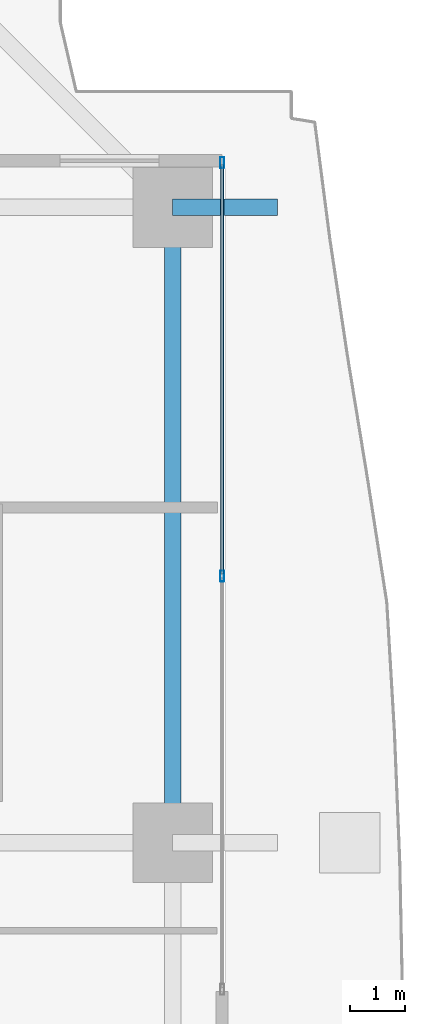
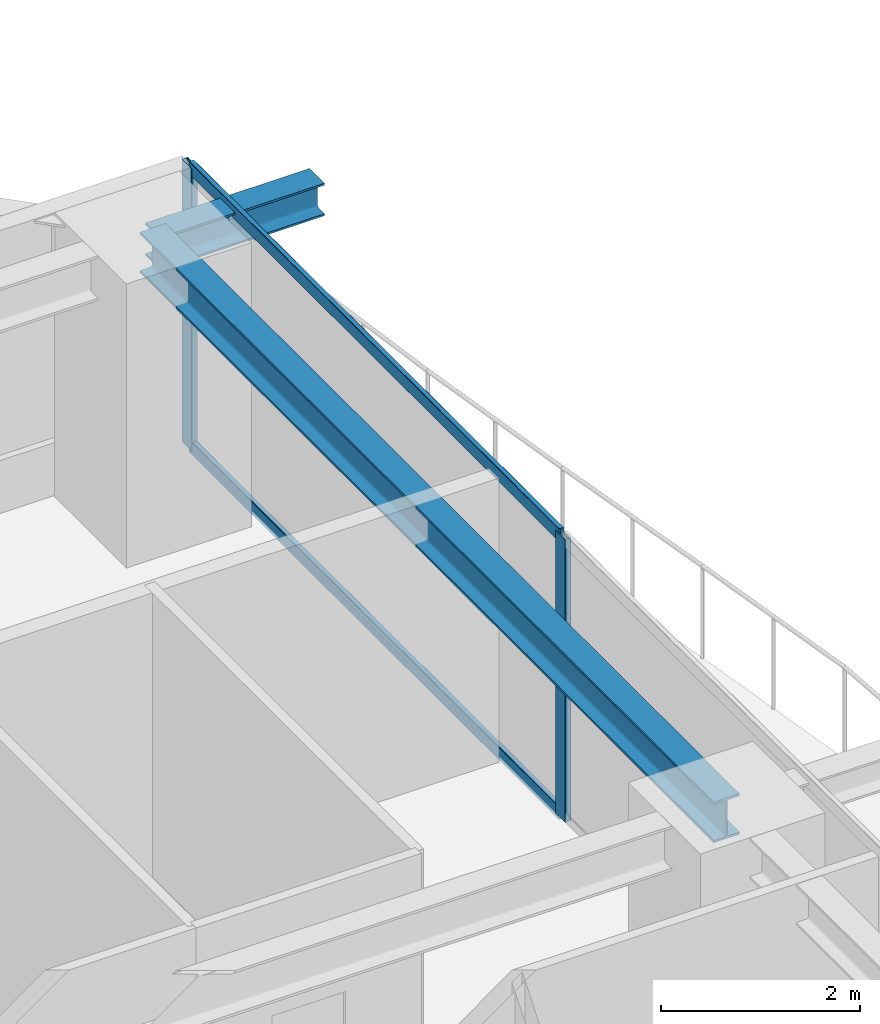
# One storey, part 23 of 39: 4 members, 2 beams, 1 element without a shape of its own.
"""IFC4 building model written with IfcOpenShell, lengths in metres."""

import ifcopenshell
import ifcopenshell.guid

model = None  # the IFC model being written
_history = None  # IfcOwnerHistory: only IFC2X3 demands one
_inside = {}  # id of a spatial element -> (the spatial element, [elements in it])
_under = {}  # id of a project, library or spatial element -> (it, [spatial elements below it])
_declared = {}  # id of a project -> (the project, [libraries it declares])
_typed = {}  # id of a type object -> (the type object, [elements of that type])
_made_of = {}  # id of a material, layer set ... -> (it, [elements and type objects made of it])


def new_model(schema):
    """Start an empty IFC model of exactly this schema.

    Asked for "IFC4X3", IfcOpenShell would pick the latest addendum, in which some entities
    have other attributes; the version numbers below select the first issue.
    IFC2X3 requires an IfcOwnerHistory on every rooted entity: one is made here for all.
    """
    global model, _history
    if schema == "IFC4X3":
        model = ifcopenshell.file(schema_version=(4, 3, 0, 0))
    else:
        model = ifcopenshell.file(schema=schema)
    _inside.clear()
    _under.clear()
    _declared.clear()
    _typed.clear()
    _made_of.clear()
    _history = None
    if model.schema == "IFC2X3":
        org = make("IfcOrganization", Name="unknown")
        user = make(
            "IfcPersonAndOrganization",
            ThePerson=make("IfcPerson", FamilyName="unknown"),
            TheOrganization=org,
        )
        app = make(
            "IfcApplication",
            ApplicationDeveloper=org,
            Version="unknown",
            ApplicationFullName="unknown",
            ApplicationIdentifier="unknown",
        )
        _history = make(
            "IfcOwnerHistory",
            OwningUser=user,
            OwningApplication=app,
            ChangeAction="ADDED",
            CreationDate=0,
        )
    return model


def make(cls, **values):
    """One entity of the class cls with the attributes given. An attribute that is None is left unset."""
    return model.create_entity(
        cls, **{name: value for name, value in values.items() if value is not None}
    )


def rooted(cls, **values):
    """An entity with a GlobalId (a new one), such as an element, a storey or a relation."""
    return make(cls, GlobalId=ifcopenshell.guid.new(), OwnerHistory=_history, **values)


def si_unit(unit_type, name, prefix=None):
    """IfcSIUnit, for example si_unit("LENGTHUNIT", "METRE", prefix="MILLI")."""
    return make("IfcSIUnit", UnitType=unit_type, Prefix=prefix, Name=name)


def assignment(units):
    """IfcUnitAssignment: the units of a project."""
    return None if units is None else make("IfcUnitAssignment", Units=units)


def point(xyz):
    """IfcCartesianPoint."""
    return None if xyz is None else make("IfcCartesianPoint", Coordinates=xyz)


def direction(xyz):
    """IfcDirection."""
    return None if xyz is None else make("IfcDirection", DirectionRatios=xyz)


def frame(location, z_axis=None, x_axis=None):
    """IfcAxis2Placement3D, a coordinate frame: its origin and axes. An axis left out is left unset."""
    return make(
        "IfcAxis2Placement3D",
        Location=point(location),
        Axis=direction(z_axis),
        RefDirection=direction(x_axis),
    )


def frame_2d(location, x_axis=None):
    """IfcAxis2Placement2D, a coordinate frame in the plane: its origin and x axis."""
    return make(
        "IfcAxis2Placement2D", Location=point(location), RefDirection=direction(x_axis)
    )


def origin():
    """The frame at (0, 0, 0) with its axes left unset."""
    return frame((0.0, 0.0, 0.0))


def origin_2d():
    """The frame at (0, 0) in the plane with its x axis left unset."""
    return frame_2d((0.0, 0.0))


def place(relative_to, where):
    """IfcLocalPlacement: puts the frame where relative to a parent placement (None: the world)."""
    return make(
        "IfcLocalPlacement", PlacementRelTo=relative_to, RelativePlacement=where
    )


def context(
    kind, dimensions, precision=None, world=None, true_north=None, identifier=None
):
    """IfcGeometricRepresentationContext, for example the 3D "Model" context."""
    return make(
        "IfcGeometricRepresentationContext",
        ContextIdentifier=identifier,
        ContextType=kind,
        CoordinateSpaceDimension=dimensions,
        Precision=precision,
        WorldCoordinateSystem=world,
        TrueNorth=true_north,
    )


def subcontext(parent, identifier, kind, view, scale=None):
    """IfcGeometricRepresentationSubContext, for example "Body" below "Model"."""
    return make(
        "IfcGeometricRepresentationSubContext",
        ContextIdentifier=identifier,
        ContextType=kind,
        ParentContext=parent,
        TargetScale=scale,
        TargetView=view,
    )


def project(units=None, contexts=None):
    """IfcProject with its units and contexts."""
    return rooted(
        "IfcProject",
        Name="project",
        RepresentationContexts=contexts,
        UnitsInContext=assignment(units),
    )


def spatial(cls, under=None, at=None, **own):
    """A site, building, storey or space (cls), placed at a placement, below another one or the project."""
    s = rooted(cls, ObjectPlacement=at, **own)
    if under is not None:
        _under.setdefault(under.id(), (under, []))[1].append(s)
    return s


def profile(cls, at=None, kind="AREA", **sizes):
    """A parametric profile (cls). Its sizes go by their IFC names, for example OverallWidth=200.0."""
    return make(cls, ProfileType=kind, Position=at, **sizes)


def hollow_rectangle(**sizes):
    """IfcRectangleHollowProfileDef."""
    return profile("IfcRectangleHollowProfileDef", **sizes)


def i_section(**sizes):
    """IfcIShapeProfileDef."""
    return profile("IfcIShapeProfileDef", **sizes)


def extrude(swept, where, along, depth):
    """IfcExtrudedAreaSolid: the profile swept, set in the frame where, extruded along a direction by depth."""
    return make(
        "IfcExtrudedAreaSolid",
        SweptArea=swept,
        Position=where,
        ExtrudedDirection=direction(along),
        Depth=depth,
    )


def shape(context_of_items, identifier, shape_type, items):
    """IfcShapeRepresentation: the items that make up one representation, for example the "Body"."""
    return make(
        "IfcShapeRepresentation",
        ContextOfItems=context_of_items,
        RepresentationIdentifier=identifier,
        RepresentationType=shape_type,
        Items=items,
    )


def source(mapping_origin, context_of_items, identifier, shape_type, items):
    """IfcRepresentationMap: a shape defined once, which mapped items show again and again."""
    return make(
        "IfcRepresentationMap",
        MappingOrigin=mapping_origin,
        MappedRepresentation=shape(context_of_items, identifier, shape_type, items),
    )


def transform(
    local_origin,
    x_axis=None,
    y_axis=None,
    z_axis=None,
    scale=None,
    scale2=None,
    scale3=None,
    uniform=True,
):
    """IfcCartesianTransformationOperator3D, or its non-uniform kind. x_axis, y_axis, z_axis: its Axis1, 2, 3."""
    if uniform:
        return make(
            "IfcCartesianTransformationOperator3D",
            Axis1=direction(x_axis),
            Axis2=direction(y_axis),
            LocalOrigin=point(local_origin),
            Scale=scale,
            Axis3=direction(z_axis),
        )
    return make(
        "IfcCartesianTransformationOperator3DnonUniform",
        Axis1=direction(x_axis),
        Axis2=direction(y_axis),
        LocalOrigin=point(local_origin),
        Scale=scale,
        Axis3=direction(z_axis),
        Scale2=scale2,
        Scale3=scale3,
    )


def mapped(mapping_source, mapping_target):
    """IfcMappedItem: shows the shape of a source again, moved by a transform."""
    return make(
        "IfcMappedItem", MappingSource=mapping_source, MappingTarget=mapping_target
    )


def material(Name=None, Category=None):
    """IfcMaterial."""
    return make("IfcMaterial", Name=Name, Category=Category)


def layer(
    of_material, thickness, ventilated=None, Name=None, Category=None, Priority=None
):
    """IfcMaterialLayer: one layer of a wall or slab, of a material (None: an air gap)."""
    return make(
        "IfcMaterialLayer",
        Material=of_material,
        LayerThickness=thickness,
        IsVentilated=ventilated,
        Name=Name,
        Category=Category,
        Priority=Priority,
    )


def layer_set(layers, Name=None):
    """IfcMaterialLayerSet."""
    return make("IfcMaterialLayerSet", MaterialLayers=layers, LayerSetName=Name)


def material_profile(
    of_material, cross_section, Name=None, Category=None, Priority=None
):
    """IfcMaterialProfile: a cross section and its material."""
    return make(
        "IfcMaterialProfile",
        Name=Name,
        Material=of_material,
        Profile=cross_section,
        Priority=Priority,
        Category=Category,
    )


def profile_set(profiles, Name=None, composite=None):
    """IfcMaterialProfileSet."""
    return make(
        "IfcMaterialProfileSet",
        Name=Name,
        MaterialProfiles=profiles,
        CompositeProfile=composite,
    )


def made_of(thing, what):
    """Note that an element or type object is made of a material, layer set ...; save() writes the relation."""
    if what is not None:
        _made_of.setdefault(what.id(), (what, []))[1].append(thing)
    return thing


def type_object(cls, material=None, **own):
    """A type object (cls), such as IfcWallType, which elements share."""
    return made_of(rooted(cls, **own), material)


def element(
    cls,
    number,
    at=None,
    inside=None,
    cuts=None,
    type_object=None,
    material=None,
    context=None,
    identifier="Body",
    shape_type=None,
    held_by="IfcProductDefinitionShape",
    body=None,
    shapes=None,
    **own,
):
    """One element of the class cls, such as IfcWall. Its Tag is "e" and its number.

    at: its placement. inside: the storey or other place that contains it. cuts: it is an
    opening in that element (IfcRelVoidsElement). A single representation is given by context,
    identifier, shape_type and body (its items); several are given by shapes. held_by: the class
    of the entity that holds the representations. save() writes the other relations.
    """
    e = rooted(cls, Tag="e%d" % number, ObjectPlacement=at, **own)
    if body is not None:
        shapes = [shape(context, identifier, shape_type, body)]
    if shapes is not None:
        e.Representation = make(held_by, Representations=shapes)
    if inside is not None:
        _inside.setdefault(inside.id(), (inside, []))[1].append(e)
    if cuts is not None:
        rooted(
            "IfcRelVoidsElement", RelatingBuildingElement=cuts, RelatedOpeningElement=e
        )
    if type_object is not None:
        _typed.setdefault(type_object.id(), (type_object, []))[1].append(e)
    return made_of(e, material)


def aggregate(whole, parts):
    """IfcRelAggregates: a whole, such as a stair, and the parts it consists of."""
    return rooted("IfcRelAggregates", RelatingObject=whole, RelatedObjects=parts)


def save(model, path):
    """Write the relations noted so far, then the file.

    IfcRelAggregates (storeys below a building ...), IfcRelContainedInSpatialStructure (elements
    in a storey), IfcRelDefinesByType, IfcRelAssociatesMaterial and IfcRelDeclares: one each for
    every whole, place, type object, material and project.
    """
    for whole, parts in _under.values():
        aggregate(whole, parts)
    for where, things in _inside.values():
        rooted(
            "IfcRelContainedInSpatialStructure",
            RelatedElements=things,
            RelatingStructure=where,
        )
    for kind, things in _typed.values():
        rooted("IfcRelDefinesByType", RelatedObjects=things, RelatingType=kind)
    for what, things in _made_of.values():
        rooted("IfcRelAssociatesMaterial", RelatedObjects=things, RelatingMaterial=what)
    for by, libraries in _declared.values():
        rooted("IfcRelDeclares", RelatingContext=by, RelatedDefinitions=libraries)
    model.write(path)


model = new_model("IFC4")

# Units and contexts
model_context = context("Model", 3, precision=1e-05, world=origin(), true_north=direction((0.0, 1.0)))
body_context = subcontext(model_context, "Body", "Model", "MODEL_VIEW")
ifc_project = project(units=[si_unit("LENGTHUNIT", "METRE"), si_unit("AREAUNIT", "SQUARE_METRE"), si_unit("VOLUMEUNIT", "CUBIC_METRE"), si_unit("PLANEANGLEUNIT", "RADIAN"), si_unit("MASSUNIT", "GRAM", prefix="KILO")], contexts=[model_context])

# Site, building, storey
site_placement = place(None, origin())
site = spatial("IfcSite", under=ifc_project, at=site_placement, CompositionType="ELEMENT")
building_placement = place(site_placement, origin())
building = spatial("IfcBuilding", under=site, at=building_placement, Name="Serunith Strait Residences", CompositionType="ELEMENT")
storey_placement = place(building_placement, frame((0.0, 0.0, 97.949951171875)))
storey = spatial("IfcBuildingStorey", under=building, at=storey_placement, Name="L24", CompositionType="ELEMENT", Elevation=97.949951171875)

# Beams
ifc_material_1 = material(Name="Steel S355J2", Category="steel")
ifc_material_profile_1 = material_profile(ifc_material_1, i_section(OverallWidth=0.300048828125, OverallDepth=0.5, WebThickness=0.014404296875, FlangeThickness=0.028076171875, FilletRadius=0.027099609375, at=origin_2d()), Name="HEB 500")
ifc_profile_set_1 = profile_set([ifc_material_profile_1], Name="Steel S355J2")
beam_type_1 = type_object("IfcBeamType", Name="BM-HEB500", PredefinedType="BEAM", material=ifc_profile_set_1)
shared_shape_1 = source(origin(), body_context, "Body", "SweptSolid", [
    extrude(i_section(OverallWidth=0.300048828125, OverallDepth=0.5, WebThickness=0.014404296875, FlangeThickness=0.028076171875, FilletRadius=0.027099609375, at=origin_2d()), origin(), (0.0, 0.0, 1.0), 11.550048828125),
])
beam_1_placement = place(storey_placement, frame((57.89990234375, 29.39990234375, 3.237060546875), z_axis=(0.0, 1.0, 0.0), x_axis=(-1.0, 0.0, 0.0)))
element("IfcBeam", 1, at=beam_1_placement, inside=storey, type_object=beam_type_1, Name="L24 Perimeter Ring Beam 07", PredefinedType="BEAM", context=body_context, shape_type="MappedRepresentation", body=[
    mapped(shared_shape_1, transform((0.0, 0.0, 0.0), scale=1.0)),
])
ifc_material_profile_2 = material_profile(ifc_material_1, i_section(OverallWidth=0.300048828125, OverallDepth=0.39990234375, WebThickness=0.013427734375, FlangeThickness=0.02392578125, FilletRadius=0.027099609375, at=origin_2d()), Name="HEB 400")
ifc_profile_set_2 = profile_set([ifc_material_profile_2], Name="Steel S355J2")
beam_type_2 = type_object("IfcBeamType", Name="BM-HEB400", PredefinedType="BEAM", material=ifc_profile_set_2)
shared_shape_2 = source(origin(), body_context, "Body", "SweptSolid", [
    extrude(i_section(OverallWidth=0.300048828125, OverallDepth=0.39990234375, WebThickness=0.013427734375, FlangeThickness=0.02392578125, FilletRadius=0.027099609375, at=origin_2d()), origin(), (0.0, 0.0, 1.0), 1.91015625),
])
beam_2_placement = place(storey_placement, frame((57.89990234375, 40.949951171875, 3.257080078125), z_axis=(1.0, 0.0, 0.0), x_axis=(0.0, 1.0, 0.0)))
element("IfcBeam", 2, at=beam_2_placement, inside=storey, type_object=beam_type_2, Name="L25 Cantilevered Balcony Rib TC-E4", PredefinedType="BEAM", context=body_context, shape_type="MappedRepresentation", body=[
    mapped(shared_shape_2, transform((0.0, 0.0, 0.0), scale=1.0)),
])

# Curtain wall, members
ifc_material_2 = material(Name="Pale-Champagne Anodised Aluminium", Category="aluminium")
ifc_layer = layer(ifc_material_2, 0.199951171875, Name="Pale-Champagne Anodised Aluminium")
ifc_layer_set = layer_set([ifc_layer], Name="Pale-Champagne Anodised Aluminium")
curtain_wall_type = type_object("IfcCurtainWallType", Name="CW-SYS1", PredefinedType="NOTDEFINED", material=ifc_layer_set)
curtain_wall_placement = place(storey_placement, origin())
curtain_wall = element("IfcCurtainWall", 3, at=curtain_wall_placement, inside=storey, type_object=curtain_wall_type, Name="L24 E Unitised Fritted Curtain Wall", PredefinedType="NOTDEFINED")
ifc_material_profile_3 = material_profile(ifc_material_2, hollow_rectangle(XDim=0.070068359375, YDim=0.199951171875, WallThickness=0.00390625, InnerFilletRadius=0.006103515625, OuterFilletRadius=0.010009765625, at=origin_2d()), Name="ALU 200x70x4")
ifc_profile_set_3 = profile_set([ifc_material_profile_3], Name="Pale-Champagne Anodised Aluminium")
member_type_1 = type_object("IfcMemberType", Name="CW-SYS1-MULL", PredefinedType="MULLION", material=ifc_profile_set_3)
shared_shape_3 = source(origin(), body_context, "Body", "SweptSolid", [
    extrude(hollow_rectangle(XDim=0.070068359375, YDim=0.199951171875, WallThickness=0.00390625, InnerFilletRadius=0.006103515625, OuterFilletRadius=0.010009765625, at=origin_2d()), origin(), (0.0, 0.0, 1.0), 3.47509765625),
])
member_1_placement = place(storey_placement, frame((58.800048828125, 34.25, 0.0), z_axis=(0.0, 0.0, 1.0), x_axis=(-1.0, 0.0, 0.0)))
member_1 = element("IfcMember", 4, at=member_1_placement, type_object=member_type_1, Name="CW-1 mullion 2", PredefinedType="MULLION", context=body_context, shape_type="MappedRepresentation", body=[
    mapped(shared_shape_3, transform((0.0, 0.0, 0.0), scale=1.0)),
])
member_2_placement = place(storey_placement, frame((58.800048828125, 41.764892578125, 0.0), z_axis=(0.0, 0.0, 1.0), x_axis=(-1.0, 0.0, 0.0)))
member_2 = element("IfcMember", 5, at=member_2_placement, type_object=member_type_1, Name="CW-1 mullion 3", PredefinedType="MULLION", context=body_context, shape_type="MappedRepresentation", body=[
    mapped(shared_shape_3, transform((0.0, 0.0, 0.0), scale=1.0)),
])
ifc_material_profile_4 = material_profile(ifc_material_2, hollow_rectangle(XDim=0.06005859375, YDim=0.159912109375, WallThickness=0.00341796875, InnerFilletRadius=0.00537109375, OuterFilletRadius=0.0087890625, at=origin_2d()), Name="ALU 160x60x3.5")
ifc_profile_set_4 = profile_set([ifc_material_profile_4], Name="Pale-Champagne Anodised Aluminium")
member_type_2 = type_object("IfcMemberType", Name="CW-SYS1-TRAN", PredefinedType="USERDEFINED", material=ifc_profile_set_4)
shared_shape_4 = source(origin(), body_context, "Body", "SweptSolid", [
    extrude(hollow_rectangle(XDim=0.06005859375, YDim=0.159912109375, WallThickness=0.00341796875, InnerFilletRadius=0.00537109375, OuterFilletRadius=0.0087890625, at=origin_2d()), origin(), (0.0, 0.0, 1.0), 7.445068359375),
])
member_3_placement = place(storey_placement, frame((58.800048828125, 34.284912109375, 0.030029296875), z_axis=(0.0, 1.0, 0.0), x_axis=(-1.0, 0.0, 0.0)))
member_3 = element("IfcMember", 6, at=member_3_placement, type_object=member_type_2, Name="CW-1 transom 2.1", ObjectType="TRANSOM", PredefinedType="USERDEFINED", context=body_context, shape_type="MappedRepresentation", body=[
    mapped(shared_shape_4, transform((0.0, 0.0, 0.0), scale=1.0)),
])
member_4_placement = place(storey_placement, frame((58.800048828125, 34.284912109375, 3.445068359375), z_axis=(0.0, 1.0, 0.0), x_axis=(-1.0, 0.0, 0.0)))
member_4 = element("IfcMember", 7, at=member_4_placement, type_object=member_type_2, Name="CW-1 transom 2.2", ObjectType="TRANSOM", PredefinedType="USERDEFINED", context=body_context, shape_type="MappedRepresentation", body=[
    mapped(shared_shape_4, transform((0.0, 0.0, 0.0), scale=1.0)),
])
aggregate(curtain_wall, [member_1, member_2, member_3, member_4])

save(model, "model.ifc")
